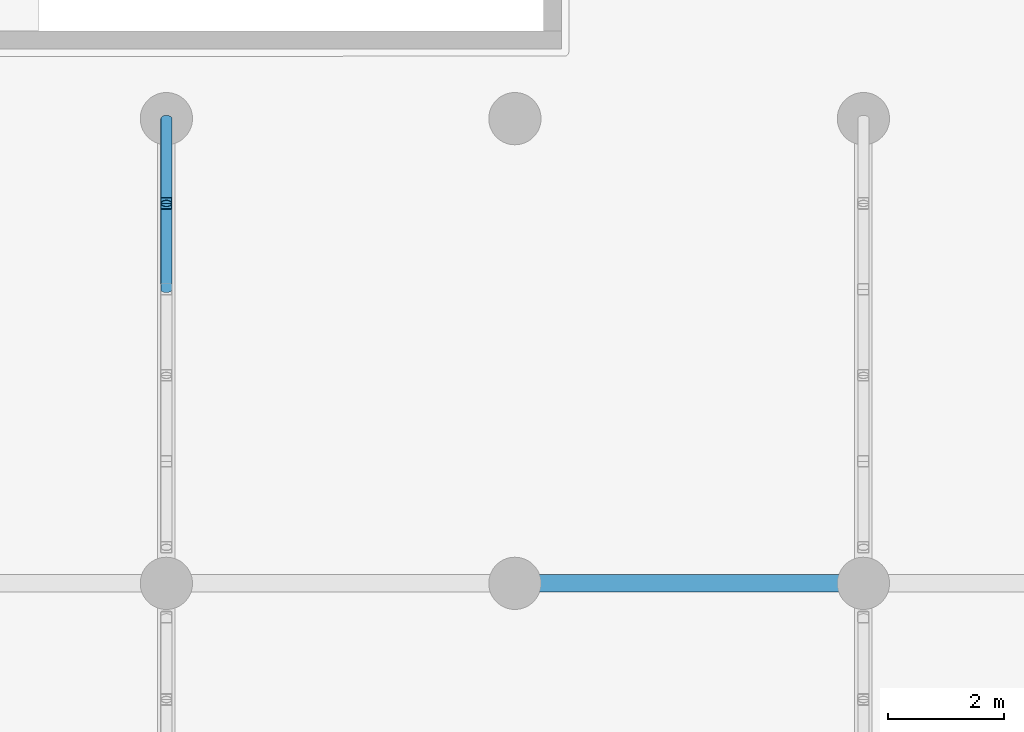
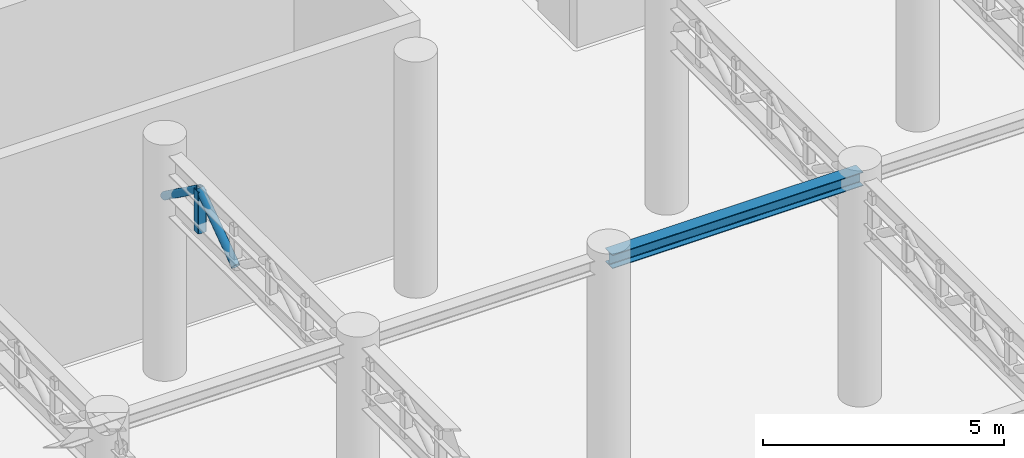
# One storey, part 27 of 118: 3 members, 1 beam.
"""IFC4 building model written with IfcOpenShell, lengths in metres."""

from ifc_helpers import new_model, si_unit, direction, frame, origin, origin_2d, place, context, subcontext, project, spatial, hollow_rectangle, hollow_circle, i_section, extrude, material, material_profile, profile_set, type_object, element, save


model = new_model("IFC4")

# Units and contexts
model_context = context("Model", 3, precision=1e-05, world=origin(), true_north=direction((0.0, 1.0)))
body_context = subcontext(model_context, "Body", "Model", "MODEL_VIEW")
ifc_project = project(units=[si_unit("LENGTHUNIT", "METRE"), si_unit("AREAUNIT", "SQUARE_METRE"), si_unit("VOLUMEUNIT", "CUBIC_METRE"), si_unit("PLANEANGLEUNIT", "RADIAN"), si_unit("MASSUNIT", "GRAM", prefix="KILO")], contexts=[model_context])

# Site, building, storey
site_placement = place(None, origin())
site = spatial("IfcSite", under=ifc_project, at=site_placement, CompositionType="ELEMENT")
building_placement = place(site_placement, origin())
building = spatial("IfcBuilding", under=site, at=building_placement, Name="Kolvaren Corner Interchange", CompositionType="ELEMENT")
storey_placement = place(building_placement, origin())
storey = spatial("IfcBuildingStorey", under=building, at=storey_placement, Name="L01", CompositionType="ELEMENT", Elevation=0.0)

# Beam
ifc_material_1 = material(Name="Steel S355", Category="steel")
ifc_material_profile_1 = material_profile(ifc_material_1, i_section(OverallWidth=0.300048828125, OverallDepth=0.35009765625, WebThickness=0.010009765625, FlangeThickness=0.017578125, FilletRadius=0.027099609375, at=origin_2d()), Name="HEA 360")
ifc_profile_set_1 = profile_set([ifc_material_profile_1], Name="Steel S355")
beam_type = type_object("IfcBeamType", Name="BM-HEA360", PredefinedType="BEAM", material=ifc_profile_set_1)
beam_placement = place(storey_placement, frame((90.0, 34.0, 5.574951171875), z_axis=(1.0, 0.0, 0.0), x_axis=(0.0, 1.0, 0.0)))
element("IfcBeam", 1, at=beam_placement, inside=storey, type_object=beam_type, Name="Storey L01 Grid X Primary Girder 0237", PredefinedType="BEAM", context=body_context, shape_type="SweptSolid", body=[
    extrude(i_section(OverallWidth=0.300048828125, OverallDepth=0.35009765625, WebThickness=0.010009765625, FlangeThickness=0.017578125, FilletRadius=0.027099609375, at=origin_2d()), origin(), (0.0, 0.0, 1.0), 6.0),
])

# Members
ifc_material_2 = material(Name="Steel S355", Category="steel")
ifc_material_profile_2 = material_profile(ifc_material_2, hollow_circle(Radius=0.096923828125, WallThickness=0.010009765625, at=origin_2d()), Name="CHS 193.7x10.0")
ifc_profile_set_2 = profile_set([ifc_material_profile_2], Name="Steel S355")
member_type_1 = type_object("IfcMemberType", Name="MEM-BR-CHS194", PredefinedType="BRACE", material=ifc_profile_set_2)
member_1_placement = place(storey_placement, frame((84.0, 39.06005859375, 4.409912109375), z_axis=(0.0, 0.812971611599, 0.582303321934), x_axis=(-1.0, 0.0, 0.0)))
element("IfcMember", 2, at=member_1_placement, inside=storey, type_object=member_type_1, Name="South Portal Cantilever Roof Truss L02 Line 3 Diagonal 17", PredefinedType="BRACE", context=body_context, shape_type="SweptSolid", body=[
    extrude(hollow_circle(Radius=0.096923828125, WallThickness=0.010009765625, at=origin_2d()), origin(), (0.0, 0.0, 1.0), 1.820556640625),
])
member_2_placement = place(storey_placement, frame((84.0, 40.5400390625, 5.469970703125), z_axis=(0.0, 0.809192259471, -0.58754394492), x_axis=(-1.0, 0.0, 0.0)))
element("IfcMember", 3, at=member_2_placement, inside=storey, type_object=member_type_1, Name="South Portal Cantilever Roof Truss L02 Line 3 Diagonal 18", PredefinedType="BRACE", context=body_context, shape_type="SweptSolid", body=[
    extrude(hollow_circle(Radius=0.096923828125, WallThickness=0.010009765625, at=origin_2d()), origin(), (0.0, 0.0, 1.0), 1.80419921875),
])
ifc_material_3 = material(Name="Steel S355", Category="steel")
ifc_material_profile_3 = material_profile(ifc_material_3, hollow_rectangle(XDim=0.199951171875, YDim=0.199951171875, WallThickness=0.010009765625, InnerFilletRadius=0.010009765625, OuterFilletRadius=0.02001953125, at=origin_2d()), Name="SHS 200x200x10.0")
ifc_profile_set_3 = profile_set([ifc_material_profile_3], Name="Steel S355")
member_type_2 = type_object("IfcMemberType", Name="MEM-PT-SHS200", PredefinedType="POST", material=ifc_profile_set_3)
member_3_placement = place(storey_placement, frame((84.0, 40.5400390625, 4.409912109375), z_axis=(0.0, 0.0, 1.0), x_axis=(1.0, 0.0, 0.0)))
element("IfcMember", 4, at=member_3_placement, inside=storey, type_object=member_type_2, Name="South Portal Cantilever Roof Truss L02 Line 3 Web Post 18", PredefinedType="POST", context=body_context, shape_type="SweptSolid", body=[
    extrude(hollow_rectangle(XDim=0.199951171875, YDim=0.199951171875, WallThickness=0.010009765625, InnerFilletRadius=0.010009765625, OuterFilletRadius=0.02001953125, at=origin_2d()), origin(), (0.0, 0.0, 1.0), 1.06005859375),
])

save(model, "model.ifc")
